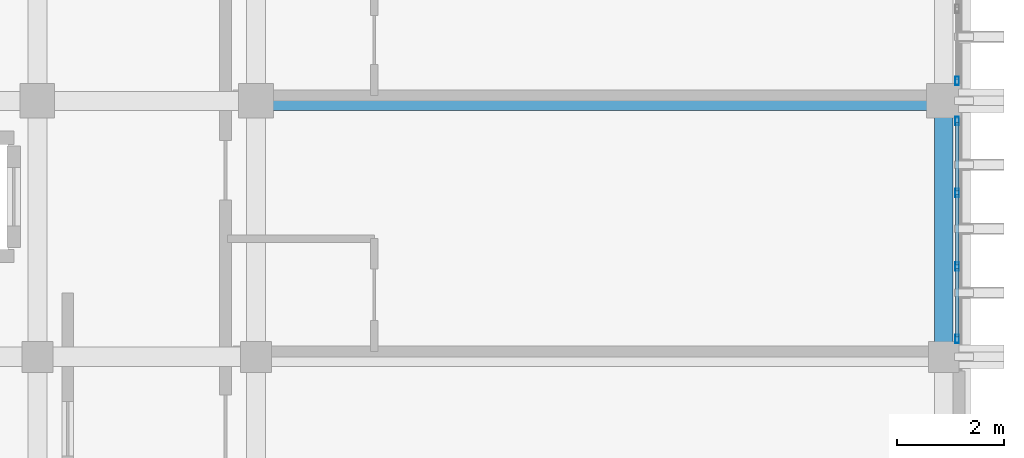
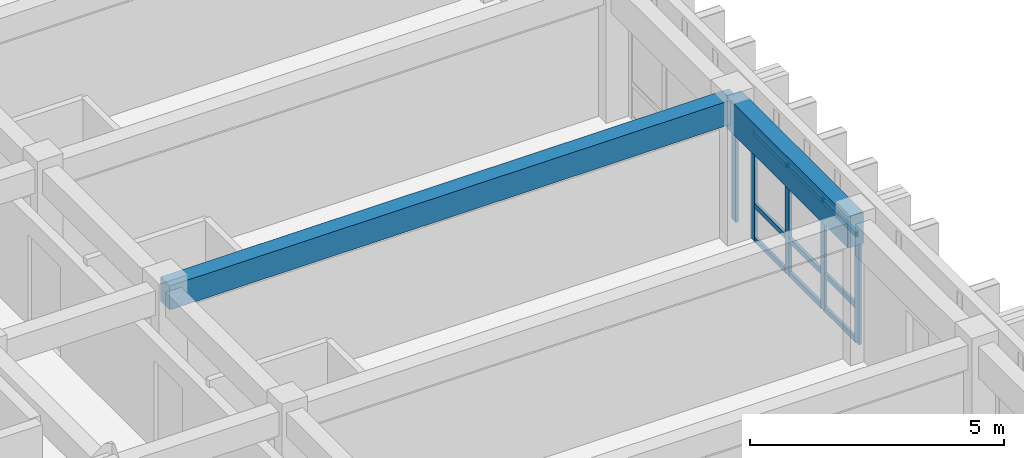
# One storey, part 13 of 49: 14 members, 2 beams, 2 elements without a shape of their own.
"""IFC4 building model written with IfcOpenShell, lengths in metres."""

from ifc_helpers import new_model, si_unit, direction, frame, origin, origin_2d, place, context, subcontext, project, spatial, rectangle, hollow_rectangle, extrude, material, layer, layer_set, material_profile, profile_set, type_object, element, aggregate, save


model = new_model("IFC4")

# Units and contexts
model_context = context("Model", 3, precision=1e-05, world=origin(), true_north=direction((0.0, 1.0)))
body_context = subcontext(model_context, "Body", "Model", "MODEL_VIEW")
ifc_project = project(units=[si_unit("LENGTHUNIT", "METRE"), si_unit("AREAUNIT", "SQUARE_METRE"), si_unit("VOLUMEUNIT", "CUBIC_METRE"), si_unit("PLANEANGLEUNIT", "RADIAN"), si_unit("MASSUNIT", "GRAM", prefix="KILO")], contexts=[model_context])

# Site, building, storey
site_placement = place(None, origin())
site = spatial("IfcSite", under=ifc_project, at=site_placement, CompositionType="ELEMENT")
building_placement = place(site_placement, origin())
building = spatial("IfcBuilding", under=site, at=building_placement, Name="Nakhvara Creek Congress Hotel", CompositionType="ELEMENT")
storey_placement = place(building_placement, frame((0.0, 0.0, 39.0)))
storey = spatial("IfcBuildingStorey", under=building, at=storey_placement, Name="L09", CompositionType="ELEMENT", Elevation=39.0)

# Beams
ifc_material_1 = material(Name="Concrete C40/50", Category="concrete")
ifc_material_profile_1 = material_profile(ifc_material_1, rectangle(XDim=0.360107421875, YDim=0.580078125, at=origin_2d()), Name="RC-BM 360x580", Category="LoadBearing")
ifc_profile_set_1 = profile_set([ifc_material_profile_1], Name="Concrete C40/50")
beam_type_1 = type_object("IfcBeamType", Name="BM-RC-360X580", PredefinedType="BEAM", material=ifc_profile_set_1)
beam_1_placement = place(storey_placement, frame((166.449951171875, 76.800048828125, 3.070068359375), z_axis=(1.0, 0.0, 0.0), x_axis=(0.0, 1.0, 0.0)))
element("IfcBeam", 1, at=beam_1_placement, inside=storey, type_object=beam_type_1, Name="Beam B09-L09-2580", PredefinedType="BEAM", context=body_context, shape_type="SweptSolid", body=[
    extrude(rectangle(XDim=0.360107421875, YDim=0.580078125, at=origin_2d()), origin(), (0.0, 0.0, 1.0), 12.900146484375),
])
ifc_material_profile_2 = material_profile(ifc_material_1, rectangle(XDim=0.35009765625, YDim=0.75, at=origin_2d()), Name="RC-SPANDREL 350x750", Category="LoadBearing")
ifc_profile_set_2 = profile_set([ifc_material_profile_2], Name="Concrete C40/50")
beam_type_2 = type_object("IfcBeamType", Name="BM-SPN-350X750", PredefinedType="SPANDREL", material=ifc_profile_set_2)
beam_2_placement = place(storey_placement, frame((179.35009765625, 72.0, 2.985107421875), z_axis=(0.0, 1.0, 0.0), x_axis=(-1.0, 0.0, 0.0)))
element("IfcBeam", 2, at=beam_2_placement, inside=storey, type_object=beam_type_2, Name="Beam SP1-L09-2600", PredefinedType="SPANDREL", context=body_context, shape_type="SweptSolid", body=[
    extrude(rectangle(XDim=0.35009765625, YDim=0.75, at=origin_2d()), origin(), (0.0, 0.0, 1.0), 4.800048828125),
])

# Curtain wall, members
ifc_material_2 = material(Name="Bronze-anodised aluminium AW-6063-T6 and double-silver low-E glass", Category="aluminium")
ifc_layer = layer(ifc_material_2, 0.199951171875)
ifc_layer_set = layer_set([ifc_layer], Name="Bronze-anodised aluminium AW-6063-T6 and double-silver low-E glass")
curtain_wall_type = type_object("IfcCurtainWallType", Name="CW-HTL-UNIT", PredefinedType="USERDEFINED", material=ifc_layer_set)
curtain_wall_1_placement = place(storey_placement, origin())
curtain_wall_1 = element("IfcCurtainWall", 3, at=curtain_wall_1_placement, inside=storey, type_object=curtain_wall_type, Name="Curtain Wall CW299", ObjectType="UNITISED", PredefinedType="USERDEFINED")
ifc_material_3 = material(Name="Bronze-anodised aluminium AW-6063-T6", Category="aluminium")
ifc_material_profile_3 = material_profile(ifc_material_3, hollow_rectangle(XDim=0.06494140625, YDim=0.159912109375, WallThickness=0.00390625, at=origin_2d()), Name="ALU-MULL 65x160x4", Category="LoadBearing")
ifc_profile_set_3 = profile_set([ifc_material_profile_3], Name="Bronze-anodised aluminium AW-6063-T6")
member_type_1 = type_object("IfcMemberType", Name="CW-MULL-160", PredefinedType="MULLION", material=ifc_profile_set_3)
member_1_placement = place(storey_placement, frame((179.60009765625, 76.427490234375, 0.0), z_axis=(0.0, 0.0, 1.0), x_axis=(1.0, 0.0, 0.0)))
member_1 = element("IfcMember", 4, at=member_1_placement, type_object=member_type_1, Name="CW299 mullion 1", PredefinedType="MULLION", context=body_context, shape_type="SweptSolid", body=[
    extrude(hollow_rectangle(XDim=0.06494140625, YDim=0.159912109375, WallThickness=0.00390625, at=origin_2d()), origin(), (0.0, 0.0, 1.0), 2.60205078125),
])
member_2_placement = place(storey_placement, frame((179.60009765625, 75.074951171875, 0.0), z_axis=(0.0, 0.0, 1.0), x_axis=(1.0, 0.0, 0.0)))
member_2 = element("IfcMember", 5, at=member_2_placement, type_object=member_type_1, Name="CW299 mullion 2", PredefinedType="MULLION", context=body_context, shape_type="SweptSolid", body=[
    extrude(hollow_rectangle(XDim=0.06494140625, YDim=0.159912109375, WallThickness=0.00390625, at=origin_2d()), origin(), (0.0, 0.0, 1.0), 2.60205078125),
])
member_3_placement = place(storey_placement, frame((179.60009765625, 73.68994140625, 0.0), z_axis=(0.0, 0.0, 1.0), x_axis=(1.0, 0.0, 0.0)))
member_3 = element("IfcMember", 6, at=member_3_placement, type_object=member_type_1, Name="CW299 mullion 3", PredefinedType="MULLION", context=body_context, shape_type="SweptSolid", body=[
    extrude(hollow_rectangle(XDim=0.06494140625, YDim=0.159912109375, WallThickness=0.00390625, at=origin_2d()), origin(), (0.0, 0.0, 1.0), 2.60205078125),
])
member_4_placement = place(storey_placement, frame((179.60009765625, 72.33740234375, 0.0), z_axis=(0.0, 0.0, 1.0), x_axis=(1.0, 0.0, 0.0)))
member_4 = element("IfcMember", 7, at=member_4_placement, type_object=member_type_1, Name="CW299 mullion 4", PredefinedType="MULLION", context=body_context, shape_type="SweptSolid", body=[
    extrude(hollow_rectangle(XDim=0.06494140625, YDim=0.159912109375, WallThickness=0.00390625, at=origin_2d()), origin(), (0.0, 0.0, 1.0), 2.60205078125),
])

# Curtain wall, member
curtain_wall_2_placement = place(storey_placement, origin())
curtain_wall_2 = element("IfcCurtainWall", 8, at=curtain_wall_2_placement, inside=storey, type_object=curtain_wall_type, Name="Curtain Wall CW301", ObjectType="UNITISED", PredefinedType="USERDEFINED")
member_5_placement = place(storey_placement, frame((179.60009765625, 77.172607421875, 0.0), z_axis=(0.0, 0.0, 1.0), x_axis=(1.0, 0.0, 0.0)))
member_5 = element("IfcMember", 9, at=member_5_placement, type_object=member_type_1, Name="CW301 mullion 4", PredefinedType="MULLION", context=body_context, shape_type="SweptSolid", body=[
    extrude(hollow_rectangle(XDim=0.06494140625, YDim=0.159912109375, WallThickness=0.00390625, at=origin_2d()), origin(), (0.0, 0.0, 1.0), 2.60205078125),
])
aggregate(curtain_wall_2, [member_5])

# Member
ifc_material_profile_4 = material_profile(ifc_material_3, hollow_rectangle(XDim=0.06494140625, YDim=0.1201171875, WallThickness=0.00390625, at=origin_2d()), Name="ALU-TRAN 65x120x4", Category="LoadBearing")
ifc_profile_set_4 = profile_set([ifc_material_profile_4], Name="Bronze-anodised aluminium AW-6063-T6")
member_type_2 = type_object("IfcMemberType", Name="CW-TRAN-120", PredefinedType="USERDEFINED", material=ifc_profile_set_4)
member_6_placement = place(storey_placement, frame((179.60009765625, 76.39501953125, 0.032470703125), z_axis=(0.0, -1.0, 0.0), x_axis=(1.0, 0.0, 0.0)))
member_6 = element("IfcMember", 10, at=member_6_placement, type_object=member_type_2, Name="CW299 transom 1.1", ObjectType="TRANSOM", PredefinedType="USERDEFINED", context=body_context, shape_type="SweptSolid", body=[
    extrude(hollow_rectangle(XDim=0.06494140625, YDim=0.1201171875, WallThickness=0.00390625, at=origin_2d()), origin(), (0.0, 0.0, 1.0), 1.28759765625),
])

member_7_placement = place(storey_placement, frame((179.60009765625, 76.39501953125, 0.85009765625), z_axis=(0.0, -1.0, 0.0), x_axis=(1.0, 0.0, 0.0)))
member_7 = element("IfcMember", 11, at=member_7_placement, type_object=member_type_2, Name="CW299 transom 1.2", ObjectType="TRANSOM", PredefinedType="USERDEFINED", context=body_context, shape_type="SweptSolid", body=[
    extrude(hollow_rectangle(XDim=0.06494140625, YDim=0.1201171875, WallThickness=0.00390625, at=origin_2d()), origin(), (0.0, 0.0, 1.0), 1.28759765625),
])

member_8_placement = place(storey_placement, frame((179.60009765625, 76.39501953125, 2.569580078125), z_axis=(0.0, -1.0, 0.0), x_axis=(1.0, 0.0, 0.0)))
member_8 = element("IfcMember", 12, at=member_8_placement, type_object=member_type_2, Name="CW299 transom 1.3", ObjectType="TRANSOM", PredefinedType="USERDEFINED", context=body_context, shape_type="SweptSolid", body=[
    extrude(hollow_rectangle(XDim=0.06494140625, YDim=0.1201171875, WallThickness=0.00390625, at=origin_2d()), origin(), (0.0, 0.0, 1.0), 1.28759765625),
])

member_9_placement = place(storey_placement, frame((179.60009765625, 75.04248046875, 0.032470703125), z_axis=(0.0, -1.0, 0.0), x_axis=(1.0, 0.0, 0.0)))
member_9 = element("IfcMember", 13, at=member_9_placement, type_object=member_type_2, Name="CW299 transom 2.1", ObjectType="TRANSOM", PredefinedType="USERDEFINED", context=body_context, shape_type="SweptSolid", body=[
    extrude(hollow_rectangle(XDim=0.06494140625, YDim=0.1201171875, WallThickness=0.00390625, at=origin_2d()), origin(), (0.0, 0.0, 1.0), 1.320068359375),
])

member_10_placement = place(storey_placement, frame((179.60009765625, 75.04248046875, 0.85009765625), z_axis=(0.0, -1.0, 0.0), x_axis=(1.0, 0.0, 0.0)))
member_10 = element("IfcMember", 14, at=member_10_placement, type_object=member_type_2, Name="CW299 transom 2.2", ObjectType="TRANSOM", PredefinedType="USERDEFINED", context=body_context, shape_type="SweptSolid", body=[
    extrude(hollow_rectangle(XDim=0.06494140625, YDim=0.1201171875, WallThickness=0.00390625, at=origin_2d()), origin(), (0.0, 0.0, 1.0), 1.320068359375),
])

member_11_placement = place(storey_placement, frame((179.60009765625, 75.04248046875, 2.569580078125), z_axis=(0.0, -1.0, 0.0), x_axis=(1.0, 0.0, 0.0)))
member_11 = element("IfcMember", 15, at=member_11_placement, type_object=member_type_2, Name="CW299 transom 2.3", ObjectType="TRANSOM", PredefinedType="USERDEFINED", context=body_context, shape_type="SweptSolid", body=[
    extrude(hollow_rectangle(XDim=0.06494140625, YDim=0.1201171875, WallThickness=0.00390625, at=origin_2d()), origin(), (0.0, 0.0, 1.0), 1.320068359375),
])

member_12_placement = place(storey_placement, frame((179.60009765625, 73.657470703125, 0.032470703125), z_axis=(0.0, -1.0, 0.0), x_axis=(1.0, 0.0, 0.0)))
member_12 = element("IfcMember", 16, at=member_12_placement, type_object=member_type_2, Name="CW299 transom 3.1", ObjectType="TRANSOM", PredefinedType="USERDEFINED", context=body_context, shape_type="SweptSolid", body=[
    extrude(hollow_rectangle(XDim=0.06494140625, YDim=0.1201171875, WallThickness=0.00390625, at=origin_2d()), origin(), (0.0, 0.0, 1.0), 1.287353515625),
])

member_13_placement = place(storey_placement, frame((179.60009765625, 73.657470703125, 0.85009765625), z_axis=(0.0, -1.0, 0.0), x_axis=(1.0, 0.0, 0.0)))
member_13 = element("IfcMember", 17, at=member_13_placement, type_object=member_type_2, Name="CW299 transom 3.2", ObjectType="TRANSOM", PredefinedType="USERDEFINED", context=body_context, shape_type="SweptSolid", body=[
    extrude(hollow_rectangle(XDim=0.06494140625, YDim=0.1201171875, WallThickness=0.00390625, at=origin_2d()), origin(), (0.0, 0.0, 1.0), 1.287353515625),
])

member_14_placement = place(storey_placement, frame((179.60009765625, 73.657470703125, 2.569580078125), z_axis=(0.0, -1.0, 0.0), x_axis=(1.0, 0.0, 0.0)))
member_14 = element("IfcMember", 18, at=member_14_placement, type_object=member_type_2, Name="CW299 transom 3.3", ObjectType="TRANSOM", PredefinedType="USERDEFINED", context=body_context, shape_type="SweptSolid", body=[
    extrude(hollow_rectangle(XDim=0.06494140625, YDim=0.1201171875, WallThickness=0.00390625, at=origin_2d()), origin(), (0.0, 0.0, 1.0), 1.287353515625),
])

aggregate(curtain_wall_1, [member_1, member_2, member_3, member_4, member_6, member_7, member_8, member_9, member_10, member_11, member_12, member_13, member_14])

save(model, "model.ifc")
